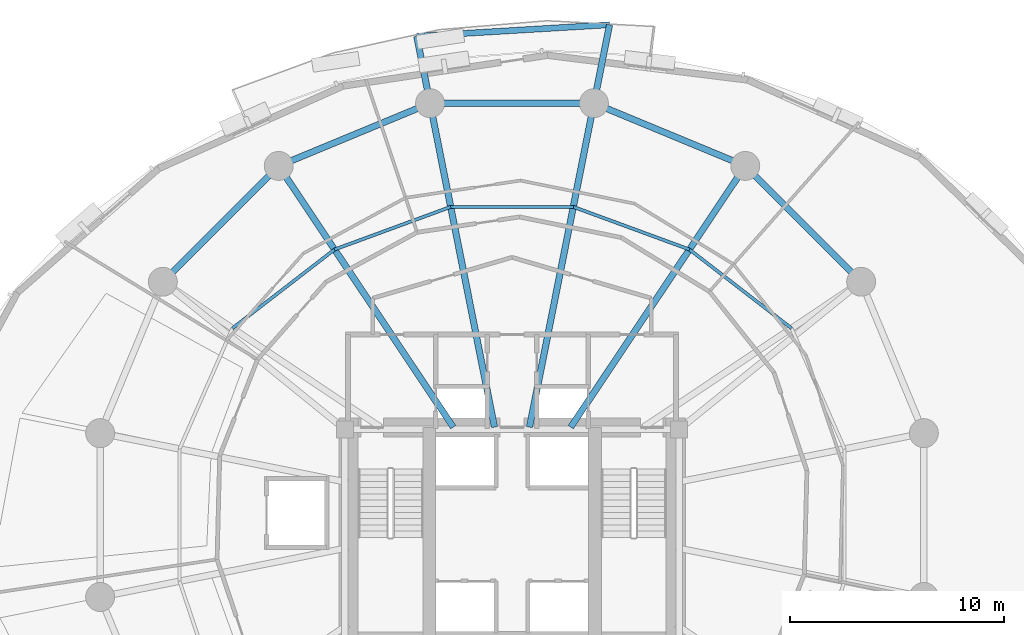
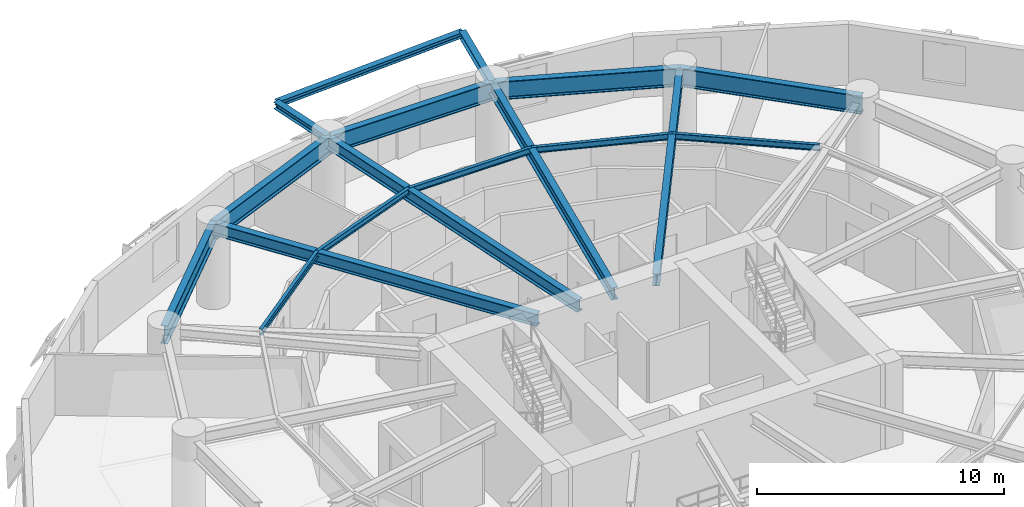
# One storey, part 9 of 17: 17 beams.
"""IFC4 building model written with IfcOpenShell, lengths in metres."""

from ifc_helpers import new_model, si_unit, direction, frame, origin, origin_2d, place, context, subcontext, project, spatial, i_section, extrude, material, material_profile, profile_set, type_object, element, save


model = new_model("IFC4")

# Units and contexts
model_context = context("Model", 3, precision=1e-05, world=origin(), true_north=direction((0.0, 1.0)))
body_context = subcontext(model_context, "Body", "Model", "MODEL_VIEW")
ifc_project = project(units=[si_unit("LENGTHUNIT", "METRE"), si_unit("AREAUNIT", "SQUARE_METRE"), si_unit("VOLUMEUNIT", "CUBIC_METRE"), si_unit("PLANEANGLEUNIT", "RADIAN"), si_unit("MASSUNIT", "GRAM", prefix="KILO"), si_unit("THERMODYNAMICTEMPERATUREUNIT", "KELVIN"), si_unit("POWERUNIT", "WATT")], contexts=[model_context])

# Site, building, storey
site_placement = place(None, origin())
site = spatial("IfcSite", under=ifc_project, at=site_placement, CompositionType="ELEMENT")
building_placement = place(site_placement, origin())
building = spatial("IfcBuilding", under=site, at=building_placement, Name="Ocrelia Relay Tower", CompositionType="ELEMENT")
storey_placement = place(building_placement, frame((0.0, 0.0, 67.800048828125)))
storey = spatial("IfcBuildingStorey", under=building, at=storey_placement, Name="L15", CompositionType="ELEMENT", Elevation=67.800048828125)

# Beams
ifc_material = material(Name="Steel S355", Category="steel")
ifc_material_profile_1 = material_profile(ifc_material, i_section(OverallWidth=0.280029296875, OverallDepth=0.27001953125, WebThickness=0.008056640625, FlangeThickness=0.012939453125, FilletRadius=0.02392578125, at=origin_2d()), Name="HEA 280")
ifc_profile_set_1 = profile_set([ifc_material_profile_1], Name="Steel S355")
beam_type_1 = type_object("IfcBeamType", Name="BM-HEA280", PredefinedType="BEAM", material=ifc_profile_set_1)
beam_1_placement = place(storey_placement, frame((38.552490234375, 48.886962890625, 3.784912109375), z_axis=(-0.998218356714, -0.059666676792, 0.0), x_axis=(0.059666676792, -0.998218356714, 0.0)))
element("IfcBeam", 1, at=beam_1_placement, inside=storey, type_object=beam_type_1, Name="L16 Balcony Edge Trimmer Beam B1", PredefinedType="BEAM", context=body_context, shape_type="SweptSolid", body=[
    extrude(i_section(OverallWidth=0.280029296875, OverallDepth=0.27001953125, WebThickness=0.008056640625, FlangeThickness=0.012939453125, FilletRadius=0.02392578125, at=origin_2d()), origin(), (0.0, 0.0, 1.0), 9.01416015625),
])
ifc_material_profile_2 = material_profile(ifc_material, i_section(OverallWidth=0.300048828125, OverallDepth=0.330078125, WebThickness=0.009521484375, FlangeThickness=0.0166015625, FilletRadius=0.027099609375, at=origin_2d()), Name="HEA 340")
ifc_profile_set_2 = profile_set([ifc_material_profile_2], Name="Steel S355")
beam_type_2 = type_object("IfcBeamType", Name="BM-HEA340", PredefinedType="BEAM", material=ifc_profile_set_2)
beam_2_placement = place(storey_placement, frame((37.82373046875, 45.223388671875, 3.7548828125), z_axis=(0.195097930453, 0.98078376696, 0.0), x_axis=(-0.98078376696, 0.195097930453, 0.0)))
element("IfcBeam", 2, at=beam_2_placement, inside=storey, type_object=beam_type_2, Name="L16 Balcony Cantilever Beam B1-1", PredefinedType="BEAM", context=body_context, shape_type="SweptSolid", body=[
    extrude(i_section(OverallWidth=0.300048828125, OverallDepth=0.330078125, WebThickness=0.009521484375, FlangeThickness=0.0166015625, FilletRadius=0.027099609375, at=origin_2d()), origin(), (0.0, 0.0, 1.0), 3.7353515625),
])
beam_3_placement = place(storey_placement, frame((30.17626953125, 45.223388671875, 3.7548828125), z_axis=(-0.19511426826, 0.980780516895, 0.0), x_axis=(-0.980780516895, -0.19511426826, 0.0)))
element("IfcBeam", 3, at=beam_3_placement, inside=storey, type_object=beam_type_2, Name="L16 Balcony Cantilever Beam B1-2", PredefinedType="BEAM", context=body_context, shape_type="SweptSolid", body=[
    extrude(i_section(OverallWidth=0.300048828125, OverallDepth=0.330078125, WebThickness=0.009521484375, FlangeThickness=0.0166015625, FilletRadius=0.027099609375, at=origin_2d()), origin(), (0.0, 0.0, 1.0), 3.18701171875),
])
ifc_material_profile_3 = material_profile(ifc_material, i_section(OverallWidth=0.300048828125, OverallDepth=0.60009765625, WebThickness=0.015380859375, FlangeThickness=0.030029296875, FilletRadius=0.027099609375, at=origin_2d()), Name="HEB 600")
ifc_profile_set_3 = profile_set([ifc_material_profile_3], Name="Steel S355")
beam_type_3 = type_object("IfcBeamType", Name="BM-HEB600", PredefinedType="BEAM", material=ifc_profile_set_3)
beam_4_placement = place(storey_placement, frame((44.88916015625, 42.296875, 3.619873046875), z_axis=(-0.555564422059, -0.831473495033, 0.0), x_axis=(0.831473495033, -0.555564422059, 0.0)))
element("IfcBeam", 4, at=beam_4_placement, inside=storey, type_object=beam_type_3, Name="L15 Radial Floor Girder R03", PredefinedType="BEAM", context=body_context, shape_type="SweptSolid", body=[
    extrude(i_section(OverallWidth=0.300048828125, OverallDepth=0.60009765625, WebThickness=0.015380859375, FlangeThickness=0.030029296875, FilletRadius=0.027099609375, at=origin_2d()), origin(), (0.0, 0.0, 1.0), 14.6630859375),
])
for number, where, z_axis, x_axis, name in (
    (5, (37.82373046875, 45.223388671875, 3.619873046875), (-0.19509567956, -0.980784214706, 0.0), (0.980784214706, -0.19509567956, 0.0), "L15 Radial Floor Girder R04"),
    (6, (30.17626953125, 45.223388671875, 3.619873046875), (0.19509567956, -0.980784214706, 0.0), (0.980784214706, 0.19509567956, 0.0), "L15 Radial Floor Girder R05"),
):
    element("IfcBeam", number, at=place(storey_placement, frame(where, z_axis=z_axis, x_axis=x_axis)), inside=storey, type_object=beam_type_3, Name=name, PredefinedType="BEAM", context=body_context, shape_type="SweptSolid", body=[
        extrude(i_section(OverallWidth=0.300048828125, OverallDepth=0.60009765625, WebThickness=0.015380859375, FlangeThickness=0.030029296875, FilletRadius=0.027099609375, at=origin_2d()), origin(), (0.0, 0.0, 1.0), 15.41455078125),
    ])
beam_5_placement = place(storey_placement, frame((23.11083984375, 42.296875, 3.619873046875), z_axis=(0.555564422059, -0.831473495033, 0.0), x_axis=(0.831473495033, 0.555564422059, 0.0)))
element("IfcBeam", 7, at=beam_5_placement, inside=storey, type_object=beam_type_3, Name="L15 Radial Floor Girder R06", PredefinedType="BEAM", context=body_context, shape_type="SweptSolid", body=[
    extrude(i_section(OverallWidth=0.300048828125, OverallDepth=0.60009765625, WebThickness=0.015380859375, FlangeThickness=0.030029296875, FilletRadius=0.027099609375, at=origin_2d()), origin(), (0.0, 0.0, 1.0), 14.6630859375),
])
ifc_material_profile_4 = material_profile(ifc_material, i_section(OverallWidth=0.300048828125, OverallDepth=0.89990234375, WebThickness=0.0185546875, FlangeThickness=0.034912109375, FilletRadius=0.030029296875, at=origin_2d()), Name="HEB 900")
ifc_profile_set_4 = profile_set([ifc_material_profile_4], Name="Steel S355")
beam_type_4 = type_object("IfcBeamType", Name="BM-HEB900", PredefinedType="BEAM", material=ifc_profile_set_4)
beam_6_placement = place(storey_placement, frame((50.296875, 36.88916015625, 3.469970703125), z_axis=(-0.707106781187, 0.707106781187, 0.0), x_axis=(-0.707106781187, -0.707106781187, 0.0)))
element("IfcBeam", 8, at=beam_6_placement, inside=storey, type_object=beam_type_4, Name="L15 Perimeter Spandrel Beam S02", PredefinedType="BEAM", context=body_context, shape_type="SweptSolid", body=[
    extrude(i_section(OverallWidth=0.300048828125, OverallDepth=0.89990234375, WebThickness=0.0185546875, FlangeThickness=0.034912109375, FilletRadius=0.030029296875, at=origin_2d()), origin(), (0.0, 0.0, 1.0), 7.647705078125),
])
for number, where, z_axis, x_axis, name in (
    (9, (44.88916015625, 42.296875, 3.469970703125), (-0.923883375589, 0.382674154222, 0.0), (-0.382674154222, -0.923883375589, 0.0), "L15 Perimeter Spandrel Beam S03"),
    (10, (37.82373046875, 45.223388671875, 3.469970703125), (-1.0, 0.0, 0.0), (0.0, -1.0, 0.0), "L15 Perimeter Spandrel Beam S04"),
    (11, (30.17626953125, 45.223388671875, 3.469970703125), (-0.923883375589, -0.382674154222, 0.0), (0.382674154222, -0.923883375589, 0.0), "L15 Perimeter Spandrel Beam S05"),
):
    element("IfcBeam", number, at=place(storey_placement, frame(where, z_axis=z_axis, x_axis=x_axis)), inside=storey, type_object=beam_type_4, Name=name, PredefinedType="BEAM", context=body_context, shape_type="SweptSolid", body=[
        extrude(i_section(OverallWidth=0.300048828125, OverallDepth=0.89990234375, WebThickness=0.0185546875, FlangeThickness=0.034912109375, FilletRadius=0.030029296875, at=origin_2d()), origin(), (0.0, 0.0, 1.0), 7.6474609375),
    ])
beam_7_placement = place(storey_placement, frame((23.11083984375, 42.296875, 3.469970703125), z_axis=(-0.707106781187, -0.707106781187, 0.0), x_axis=(0.707106781187, -0.707106781187, 0.0)))
element("IfcBeam", 12, at=beam_7_placement, inside=storey, type_object=beam_type_4, Name="L15 Perimeter Spandrel Beam S06", PredefinedType="BEAM", context=body_context, shape_type="SweptSolid", body=[
    extrude(i_section(OverallWidth=0.300048828125, OverallDepth=0.89990234375, WebThickness=0.0185546875, FlangeThickness=0.034912109375, FilletRadius=0.030029296875, at=origin_2d()), origin(), (0.0, 0.0, 1.0), 7.647705078125),
])
ifc_material_profile_5 = material_profile(ifc_material, i_section(OverallWidth=0.14990234375, OverallDepth=0.300048828125, WebThickness=0.007080078125, FlangeThickness=0.0107421875, FilletRadius=0.014892578125, at=origin_2d()), Name="IPE 300")
ifc_profile_set_5 = profile_set([ifc_material_profile_5], Name="Steel S355")
beam_type_5 = type_object("IfcBeamType", Name="BM-IPE300", PredefinedType="JOIST", material=ifc_profile_set_5)
beam_8_placement = place(storey_placement, frame((47.0478515625, 34.71826171875, 3.77001953125), z_axis=(-0.791694256239, 0.610917510502, 0.0), x_axis=(-0.610917510502, -0.791694256239, 0.0)))
element("IfcBeam", 13, at=beam_8_placement, inside=storey, type_object=beam_type_5, Name="L15 Secondary Floor Joist J02", PredefinedType="JOIST", context=body_context, shape_type="SweptSolid", body=[
    extrude(i_section(OverallWidth=0.14990234375, OverallDepth=0.300048828125, WebThickness=0.007080078125, FlangeThickness=0.0107421875, FilletRadius=0.014892578125, at=origin_2d()), origin(), (0.0, 0.0, 1.0), 6.019287109375),
])
beam_9_placement = place(storey_placement, frame((42.282470703125, 38.3955078125, 3.77001953125), z_axis=(-0.938745977034, 0.344609910773, 0.0), x_axis=(-0.344609910773, -0.938745977034, 0.0)))
element("IfcBeam", 14, at=beam_9_placement, inside=storey, type_object=beam_type_5, Name="L15 Secondary Floor Joist J03", PredefinedType="JOIST", context=body_context, shape_type="SweptSolid", body=[
    extrude(i_section(OverallWidth=0.14990234375, OverallDepth=0.300048828125, WebThickness=0.007080078125, FlangeThickness=0.0107421875, FilletRadius=0.014892578125, at=origin_2d()), origin(), (0.0, 0.0, 1.0), 5.774658203125),
])
beam_10_placement = place(storey_placement, frame((36.861572265625, 40.385498046875, 3.77001953125), z_axis=(-1.0, 0.0, 0.0), x_axis=(0.0, -1.0, 0.0)))
element("IfcBeam", 15, at=beam_10_placement, inside=storey, type_object=beam_type_5, Name="L15 Secondary Floor Joist J04", PredefinedType="JOIST", context=body_context, shape_type="SweptSolid", body=[
    extrude(i_section(OverallWidth=0.14990234375, OverallDepth=0.300048828125, WebThickness=0.007080078125, FlangeThickness=0.0107421875, FilletRadius=0.014892578125, at=origin_2d()), origin(), (0.0, 0.0, 1.0), 5.72314453125),
])
beam_11_placement = place(storey_placement, frame((31.138427734375, 40.385498046875, 3.77001953125), z_axis=(-0.938745977034, -0.344609910773, 0.0), x_axis=(0.344609910773, -0.938745977034, 0.0)))
element("IfcBeam", 16, at=beam_11_placement, inside=storey, type_object=beam_type_5, Name="L15 Secondary Floor Joist J05", PredefinedType="JOIST", context=body_context, shape_type="SweptSolid", body=[
    extrude(i_section(OverallWidth=0.14990234375, OverallDepth=0.300048828125, WebThickness=0.007080078125, FlangeThickness=0.0107421875, FilletRadius=0.014892578125, at=origin_2d()), origin(), (0.0, 0.0, 1.0), 5.774658203125),
])
beam_12_placement = place(storey_placement, frame((25.717529296875, 38.3955078125, 3.77001953125), z_axis=(-0.791694256239, -0.610917510502, 0.0), x_axis=(0.610917510502, -0.791694256239, 0.0)))
element("IfcBeam", 17, at=beam_12_placement, inside=storey, type_object=beam_type_5, Name="L15 Secondary Floor Joist J06", PredefinedType="JOIST", context=body_context, shape_type="SweptSolid", body=[
    extrude(i_section(OverallWidth=0.14990234375, OverallDepth=0.300048828125, WebThickness=0.007080078125, FlangeThickness=0.0107421875, FilletRadius=0.014892578125, at=origin_2d()), origin(), (0.0, 0.0, 1.0), 6.019287109375),
])

save(model, "model.ifc")
